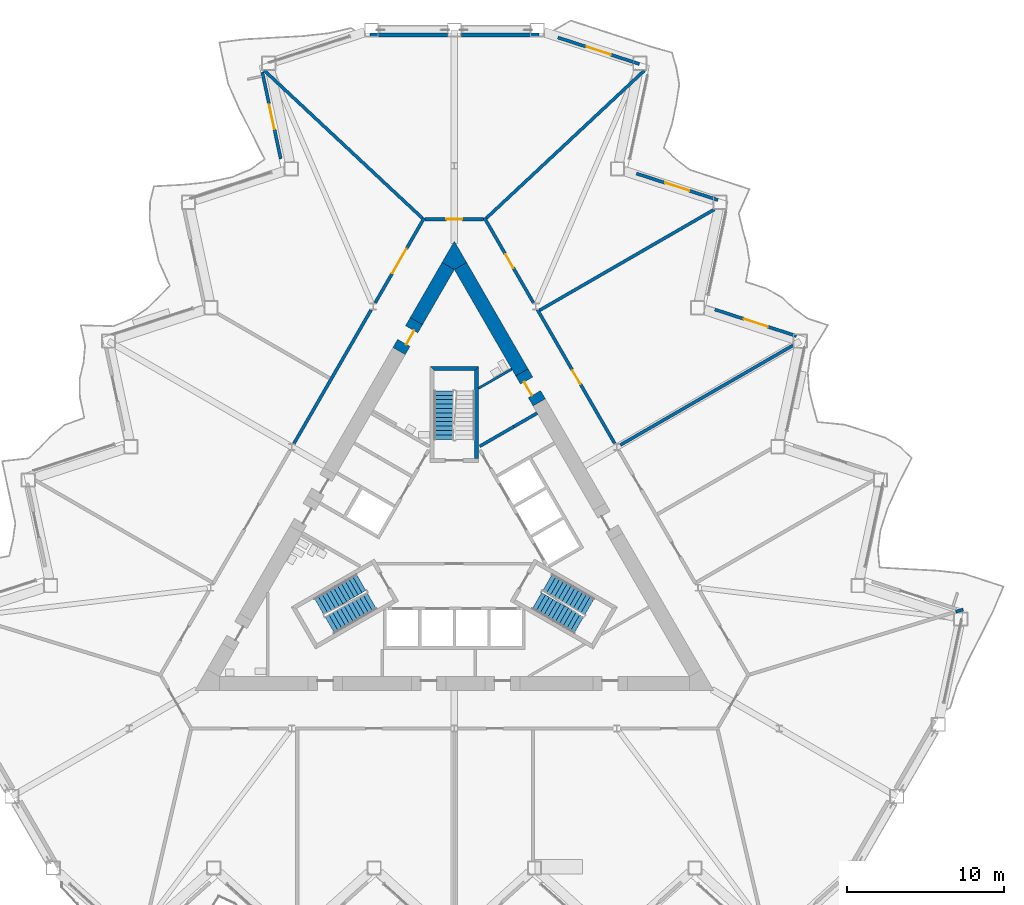
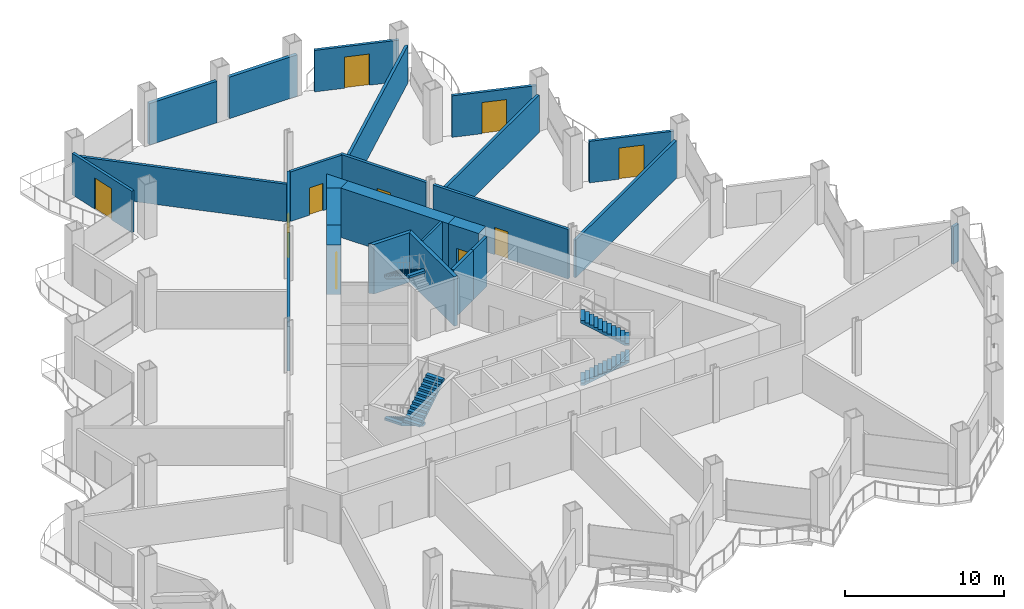
# One storey, part 13 of 21: 26 walls, 10 doors, 5 stair flights, 10 openings, 3 elements without a shape of their own.
"""IFC4 building model written with IfcOpenShell, lengths in metres."""

from ifc_helpers import new_model, si_unit, direction, frame, frame_2d, origin, place, context, subcontext, project, spatial, polyline, rectangle, outline, extrude, material, layer, layer_set, type_object, element, fill, aggregate, save


model = new_model("IFC4")

# Units and contexts
model_context = context("Model", 3, precision=1e-05, world=origin(), true_north=direction((0.0, 1.0)))
body_context = subcontext(model_context, "Body", "Model", "MODEL_VIEW")
ifc_project = project(units=[si_unit("LENGTHUNIT", "METRE"), si_unit("AREAUNIT", "SQUARE_METRE"), si_unit("VOLUMEUNIT", "CUBIC_METRE"), si_unit("PLANEANGLEUNIT", "RADIAN"), si_unit("MASSUNIT", "GRAM", prefix="KILO")], contexts=[model_context])

# Site, building, storey
site_placement = place(None, origin())
site = spatial("IfcSite", under=ifc_project, at=site_placement, CompositionType="ELEMENT")
building_placement = place(site_placement, origin())
building = spatial("IfcBuilding", under=site, at=building_placement, Name="Cormorant Prow Tower", CompositionType="ELEMENT")
storey_placement = place(building_placement, frame((0.0, 0.0, 99.60009765625)))
storey = spatial("IfcBuildingStorey", under=building, at=storey_placement, Name="L20", CompositionType="ELEMENT", Elevation=99.60009765625)

# Walls
ifc_material_1 = material(Name="Gypsum board partition")
ifc_layer_1 = layer(ifc_material_1, 0.14990234375)
ifc_layer_set_1 = layer_set([ifc_layer_1], Name="Gypsum board partition")
wall_type_1 = type_object("IfcWallType", Name="Core partition 150", PredefinedType="PARTITIONING", material=ifc_layer_set_1)
wall_1_placement = place(storey_placement, frame((3.654296875, 10.923095703125, 0.0), z_axis=(0.0, 0.0, 1.0), x_axis=(-0.865974546186, -0.5000880776, 0.0)))
element("IfcWall", 1, at=wall_1_placement, inside=storey, type_object=wall_type_1, Name="Service room partition", PredefinedType="PARTITIONING", context=body_context, shape_type="SweptSolid", body=[
    extrude(rectangle(XDim=2.44677734375, YDim=0.14990234375, at=frame_2d((1.223388671875, 0.0))), origin(), (0.0, 0.0, 1.0), 3.7998046875),
])
ifc_material_2 = material(Name="Concrete 8000 psi", Category="concrete")
ifc_layer_2 = layer(ifc_material_2, 0.89990234375)
ifc_layer_set_2 = layer_set([ifc_layer_2], Name="Concrete 8000 psi")
wall_type_2 = type_object("IfcWallType", Name="Core shear wall 900", PredefinedType="SHEAR", material=ifc_layer_set_2)
wall_2_placement = place(storey_placement, frame((4.2958984375, 10.7119140625, 0.0), z_axis=(0.0, 0.0, 1.0), x_axis=(-0.500011000363, 0.866019052629, 0.0)))
element("IfcWall", 2, at=wall_2_placement, inside=storey, type_object=wall_type_2, Name="Core wall", PredefinedType="SHEAR", context=body_context, shape_type="SweptSolid", body=[
    extrude(rectangle(XDim=7.812255859375, YDim=0.89990234375, at=frame_2d((3.90625, 0.0))), origin(), (0.0, 0.0, 1.0), 3.7998046875),
])
wall_3_placement = place(storey_placement, frame((-0.3896484375, 17.4775390625, 0.0), z_axis=(0.0, 0.0, 1.0), x_axis=(-0.500046330384, -0.865998653272, 0.0)))
element("IfcWall", 3, at=wall_3_placement, inside=storey, type_object=wall_type_2, Name="Core wall", PredefinedType="SHEAR", context=body_context, shape_type="SweptSolid", body=[
    extrude(rectangle(XDim=4.04541015625, YDim=0.89990234375, at=frame_2d((2.022705078125, 0.0))), origin(), (0.0, 0.0, 1.0), 3.7998046875),
])
wall_4_placement = place(storey_placement, origin())
element("IfcWall", 4, at=wall_4_placement, inside=storey, type_object=wall_type_2, Name="Core wall corner", PredefinedType="SHEAR", context=body_context, shape_type="SweptSolid", body=[
    extrude(outline(polyline([(-0.779296875, 17.70263671875), (0.0, 19.052490234375), (0.779296875, 17.70263671875), (0.0, 17.252685546875), (-0.779296875, 17.70263671875)])), origin(), (0.0, 0.0, 1.0), 3.7998046875),
])

# Wall, opening, door
wall_5_placement = place(storey_placement, frame((5.39599609375, 8.806396484375, 0.0), z_axis=(0.0, 0.0, 1.0), x_axis=(-0.499981787252, 0.866035918664, 0.0)))
wall_5 = element("IfcWall", 5, at=wall_5_placement, inside=storey, type_object=wall_type_2, Name="Core wall door panel", PredefinedType="SHEAR", context=body_context, shape_type="SweptSolid", body=[
    extrude(rectangle(XDim=2.2001953125, YDim=0.89990234375, at=frame_2d((1.10009765625, 0.0))), origin(), (0.0, 0.0, 1.0), 3.7998046875),
])
opening_1_placement = place(wall_5_placement, frame((0.60009765625, 0.0, 0.0)))
opening_1 = element("IfcOpeningElement", 6, at=opening_1_placement, cuts=wall_5, Name="Opening L20-C22", PredefinedType="OPENING", context=body_context, shape_type="SweptSolid", body=[
    extrude(rectangle(XDim=1.0, YDim=2.10009765625, at=frame_2d((0.5, 1.050048828125))), frame((0.0, 0.4599609375, 0.0), z_axis=(0.0, -1.0, 0.0), x_axis=(1.0, 0.0, 0.0)), (0.0, 0.0, 1.0), 0.919921875),
])
ifc_material_3 = material(Name="Painted steel", Category="steel")
door_type_1 = type_object("IfcDoorType", Name="Service door 1000x2100", OperationType="NOTDEFINED", PredefinedType="DOOR", material=ifc_material_3)
door_1_placement = place(opening_1_placement, origin())
door_1 = element("IfcDoor", 7, at=door_1_placement, inside=storey, type_object=door_type_1, Name="Core door, Mechanical riser room", OperationType="SINGLE_SWING_RIGHT", OverallHeight=2.10009765625, OverallWidth=1.0, PredefinedType="DOOR", context=body_context, shape_type="SweptSolid", body=[
    extrude(rectangle(XDim=1.0, YDim=2.10009765625, at=frame_2d((0.5, 1.050048828125))), frame((0.0, 0.205078125, 0.0), z_axis=(0.0, -1.0, 0.0), x_axis=(1.0, 0.0, 0.0)), (0.0, 0.0, 1.0), 0.050048828125),
])
fill(opening_1, door_1)

wall_6_placement = place(storey_placement, frame((-2.41259765625, 13.97412109375, 0.0), z_axis=(0.0, 0.0, 1.0), x_axis=(-0.499946605688, -0.86605622881, 0.0)))
wall_6 = element("IfcWall", 8, at=wall_6_placement, inside=storey, type_object=wall_type_2, Name="Core wall door panel", PredefinedType="SHEAR", context=body_context, shape_type="SweptSolid", body=[
    extrude(rectangle(XDim=2.199951171875, YDim=0.89990234375, at=frame_2d((1.10009765625, 0.0))), origin(), (0.0, 0.0, 1.0), 3.7998046875),
])
opening_2_placement = place(wall_6_placement, frame((0.60009765625, 0.0, 0.0)))
opening_2 = element("IfcOpeningElement", 9, at=opening_2_placement, cuts=wall_6, Name="Opening L20-C23", PredefinedType="OPENING", context=body_context, shape_type="SweptSolid", body=[
    extrude(rectangle(XDim=1.0, YDim=2.10009765625, at=frame_2d((0.5, 1.050048828125))), frame((0.0, 0.4599609375, 0.0), z_axis=(0.0, -1.0, 0.0), x_axis=(1.0, 0.0, 0.0)), (0.0, 0.0, 1.0), 0.919921875),
])
door_2_placement = place(opening_2_placement, origin())
door_2 = element("IfcDoor", 10, at=door_2_placement, inside=storey, type_object=door_type_1, Name="Core door, Toilets (men) L20", OperationType="SINGLE_SWING_RIGHT", OverallHeight=2.10009765625, OverallWidth=1.0, PredefinedType="DOOR", context=body_context, shape_type="SweptSolid", body=[
    extrude(rectangle(XDim=1.0, YDim=2.10009765625, at=frame_2d((0.5, 1.050048828125))), frame((0.0, 0.205078125, 0.0), z_axis=(0.0, -1.0, 0.0), x_axis=(1.0, 0.0, 0.0)), (0.0, 0.0, 1.0), 0.050048828125),
])
fill(opening_2, door_2)

# Wall
ifc_material_4 = material(Name="Gypsum board corridor wall")
ifc_layer_3 = layer(ifc_material_4, 0.199951171875)
ifc_layer_set_3 = layer_set([ifc_layer_3], Name="Gypsum board corridor wall")
wall_type_3 = type_object("IfcWallType", Name="Corridor wall 200", PredefinedType="PARTITIONING", material=ifc_layer_set_3)
wall_7_placement = place(storey_placement, frame((-10.197265625, 6.1904296875, 0.0), z_axis=(0.0, 0.0, 1.0), x_axis=(0.500012035596, 0.866018454918, 0.0)))
element("IfcWall", 11, at=wall_7_placement, inside=storey, type_object=wall_type_3, Name="Corridor wall", PredefinedType="PARTITIONING", context=body_context, shape_type="SweptSolid", body=[
    extrude(rectangle(XDim=9.803466796875, YDim=0.199951171875, at=frame_2d((4.90185546875, 0.0))), origin(), (0.0, 0.0, 1.0), 3.7998046875),
])

# Wall, opening, door
wall_8_placement = place(storey_placement, frame((5.28076171875, 14.7060546875, 0.0), z_axis=(0.0, 0.0, 1.0), x_axis=(0.500000421045, -0.866025160694, 0.0)))
wall_8 = element("IfcWall", 12, at=wall_8_placement, inside=storey, type_object=wall_type_3, Name="Corridor wall", PredefinedType="PARTITIONING", context=body_context, shape_type="SweptSolid", body=[
    extrude(rectangle(XDim=9.8330078125, YDim=0.199951171875, at=frame_2d((4.91650390625, 0.0))), origin(), (0.0, 0.0, 1.0), 3.7998046875),
])
opening_3_placement = place(wall_8_placement, frame((4.466552734375, 0.0, 0.0)))
opening_3 = element("IfcOpeningElement", 13, at=opening_3_placement, cuts=wall_8, Name="Opening L20-F09", PredefinedType="OPENING", context=body_context, shape_type="SweptSolid", body=[
    extrude(rectangle(XDim=1.0, YDim=2.10009765625, at=frame_2d((0.5, 1.050048828125))), frame((0.0, 0.10986328125, 0.0), z_axis=(0.0, -1.0, 0.0), x_axis=(1.0, 0.0, 0.0)), (0.0, 0.0, 1.0), 0.219970703125),
])
ifc_material_5 = material(Name="Timber door leaf", Category="wood")
door_type_2 = type_object("IfcDoorType", Name="Office door 1000x2100", OperationType="NOTDEFINED", PredefinedType="DOOR", material=ifc_material_5)
door_3_placement = place(opening_3_placement, origin())
door_3 = element("IfcDoor", 14, at=door_3_placement, inside=storey, type_object=door_type_2, Name="Open-plan office door", OperationType="SINGLE_SWING_LEFT", OverallHeight=2.10009765625, OverallWidth=1.0, PredefinedType="DOOR", context=body_context, shape_type="SweptSolid", body=[
    extrude(rectangle(XDim=1.0, YDim=2.10009765625, at=frame_2d((0.5, 1.050048828125))), frame((0.0, 0.02490234375, 0.0), z_axis=(0.0, -1.0, 0.0), x_axis=(1.0, 0.0, 0.0)), (0.0, 0.0, 1.0), 0.050048828125),
])
fill(opening_3, door_3)

wall_9_placement = place(storey_placement, frame((-5.032958984375, 15.13525390625, 0.0), z_axis=(0.0, 0.0, 1.0), x_axis=(0.499980978912, 0.866036385336, 0.0)))
wall_9 = element("IfcWall", 15, at=wall_9_placement, inside=storey, type_object=wall_type_3, Name="Corridor wall", PredefinedType="PARTITIONING", context=body_context, shape_type="SweptSolid", body=[
    extrude(rectangle(XDim=6.239990234375, YDim=0.199951171875, at=frame_2d((3.1201171875, 0.0))), origin(), (0.0, 0.0, 1.0), 3.7998046875),
])
opening_4_placement = place(wall_9_placement, frame((2.16943359375, 0.0, 0.0)))
opening_4 = element("IfcOpeningElement", 16, at=opening_4_placement, cuts=wall_9, Name="Opening L20-F12", PredefinedType="OPENING", context=body_context, shape_type="SweptSolid", body=[
    extrude(rectangle(XDim=1.800048828125, YDim=2.10009765625, at=frame_2d((0.89990234375, 1.050048828125))), frame((0.0, 0.10986328125, 0.0), z_axis=(0.0, -1.0, 0.0), x_axis=(1.0, 0.0, 0.0)), (0.0, 0.0, 1.0), 0.219970703125),
])
ifc_material_6 = material(Name="Timber door leaf", Category="wood")
door_type_3 = type_object("IfcDoorType", Name="Double door 1800x2100", OperationType="DOUBLE_DOOR_SINGLE_SWING", PredefinedType="DOOR", material=ifc_material_6)
door_4_placement = place(opening_4_placement, origin())
door_4 = element("IfcDoor", 17, at=door_4_placement, inside=storey, type_object=door_type_3, Name="Open-plan office door", OperationType="DOUBLE_DOOR_SINGLE_SWING", OverallHeight=2.10009765625, OverallWidth=1.800048828125, PredefinedType="DOOR", context=body_context, shape_type="SweptSolid", body=[
    extrude(rectangle(XDim=1.800048828125, YDim=2.10009765625, at=frame_2d((0.89990234375, 1.050048828125))), frame((0.0, 0.02490234375, 0.0), z_axis=(0.0, -1.0, 0.0), x_axis=(1.0, 0.0, 0.0)), (0.0, 0.0, 1.0), 0.050048828125),
])
fill(opening_4, door_4)

wall_10_placement = place(storey_placement, frame((1.9130859375, 20.539306640625, 0.0), z_axis=(0.0, 0.0, 1.0), x_axis=(0.499980978912, -0.866036385336, 0.0)))
wall_10 = element("IfcWall", 18, at=wall_10_placement, inside=storey, type_object=wall_type_3, Name="Corridor wall", PredefinedType="PARTITIONING", context=body_context, shape_type="SweptSolid", body=[
    extrude(rectangle(XDim=6.239990234375, YDim=0.199951171875, at=frame_2d((3.1201171875, 0.0))), origin(), (0.0, 0.0, 1.0), 3.7998046875),
])
opening_5_placement = place(wall_10_placement, frame((2.67041015625, 0.0, 0.0)))
opening_5 = element("IfcOpeningElement", 19, at=opening_5_placement, cuts=wall_10, Name="Opening L20-F10", PredefinedType="OPENING", context=body_context, shape_type="SweptSolid", body=[
    extrude(rectangle(XDim=1.0, YDim=2.10009765625, at=frame_2d((0.5, 1.050048828125))), frame((0.0, 0.10986328125, 0.0), z_axis=(0.0, -1.0, 0.0), x_axis=(1.0, 0.0, 0.0)), (0.0, 0.0, 1.0), 0.219970703125),
])
door_5_placement = place(opening_5_placement, origin())
door_5 = element("IfcDoor", 20, at=door_5_placement, inside=storey, type_object=door_type_2, Name="Tenant suite door", OperationType="SINGLE_SWING_RIGHT", OverallHeight=2.10009765625, OverallWidth=1.0, PredefinedType="DOOR", context=body_context, shape_type="SweptSolid", body=[
    extrude(rectangle(XDim=1.0, YDim=2.10009765625, at=frame_2d((0.5, 1.050048828125))), frame((0.0, 0.02490234375, 0.0), z_axis=(0.0, -1.0, 0.0), x_axis=(1.0, 0.0, 0.0)), (0.0, 0.0, 1.0), 0.050048828125),
])
fill(opening_5, door_5)

wall_11_placement = place(storey_placement, frame((-1.863037109375, 20.45263671875, 0.0), z_axis=(0.0, 0.0, 1.0), x_axis=(1.0, 0.0, 0.0)))
wall_11 = element("IfcWall", 21, at=wall_11_placement, inside=storey, type_object=wall_type_3, Name="Corridor wall", PredefinedType="PARTITIONING", context=body_context, shape_type="SweptSolid", body=[
    extrude(rectangle(XDim=3.72607421875, YDim=0.199951171875, at=frame_2d((1.863037109375, 0.0))), origin(), (0.0, 0.0, 1.0), 3.7998046875),
])
opening_6_placement = place(wall_11_placement, frame((1.363037109375, 0.0, 0.0)))
opening_6 = element("IfcOpeningElement", 22, at=opening_6_placement, cuts=wall_11, Name="Opening L20-F11", PredefinedType="OPENING", context=body_context, shape_type="SweptSolid", body=[
    extrude(rectangle(XDim=1.0, YDim=2.10009765625, at=frame_2d((0.5, 1.050048828125))), frame((0.0, 0.10986328125, 0.0), z_axis=(0.0, -1.0, 0.0), x_axis=(1.0, 0.0, 0.0)), (0.0, 0.0, 1.0), 0.219970703125),
])
door_6_placement = place(opening_6_placement, origin())
door_6 = element("IfcDoor", 23, at=door_6_placement, inside=storey, type_object=door_type_2, Name="Tenant suite door", OperationType="SINGLE_SWING_RIGHT", OverallHeight=2.10009765625, OverallWidth=1.0, PredefinedType="DOOR", context=body_context, shape_type="SweptSolid", body=[
    extrude(rectangle(XDim=1.0, YDim=2.10009765625, at=frame_2d((0.5, 1.050048828125))), frame((0.0, 0.02490234375, 0.0), z_axis=(0.0, -1.0, 0.0), x_axis=(1.0, 0.0, 0.0)), (0.0, 0.0, 1.0), 0.050048828125),
])
fill(opening_6, door_6)

# Walls
ifc_material_7 = material(Name="Gypsum board demising wall")
ifc_layer_4 = layer(ifc_material_7, 0.199951171875)
ifc_layer_set_4 = layer_set([ifc_layer_4], Name="Gypsum board demising wall")
wall_type_4 = type_object("IfcWallType", Name="Demising wall 200", PredefinedType="PARTITIONING", material=ifc_layer_set_4)
for number, where, z_axis, x_axis, name in (
    (24, (2.0361328125, 20.520751953125, 0.0), (0.0, 0.0, 1.0), (0.730716801277, 0.682680713315, 0.0), "Demising wall"),
    (25, (-12.08203125, 29.90625, 0.0), (0.0, 0.0, 1.0), (0.730716801277, -0.682680713315, 0.0), "Demising wall"),
):
    element("IfcWall", number, at=place(storey_placement, frame(where, z_axis=z_axis, x_axis=x_axis)), inside=storey, type_object=wall_type_4, Name=name, PredefinedType="PARTITIONING", context=body_context, shape_type="SweptSolid", body=[
        extrude(rectangle(XDim=13.748046875, YDim=0.199951171875, at=frame_2d((6.8740234375, 0.0))), origin(), (0.0, 0.0, 1.0), 2.88525390625),
    ])
wall_12_placement = place(storey_placement, frame((5.42236328125, 14.66064453125, 0.0), z_axis=(0.0, 0.0, 1.0), x_axis=(0.866023907196, 0.500002592159, 0.0)))
element("IfcWall", 26, at=wall_12_placement, inside=storey, type_object=wall_type_4, Name="Demising wall", PredefinedType="PARTITIONING", context=body_context, shape_type="SweptSolid", body=[
    extrude(rectangle(XDim=12.82470703125, YDim=0.199951171875, at=frame_2d((6.412353515625, 0.0))), origin(), (0.0, 0.0, 1.0), 2.88525390625),
])
wall_13_placement = place(storey_placement, frame((10.555908203125, 6.094482421875, 0.0), z_axis=(0.0, 0.0, 1.0), x_axis=(0.86602461759, 0.500001361726, 0.0)))
element("IfcWall", 27, at=wall_13_placement, inside=storey, type_object=wall_type_4, Name="Demising wall", PredefinedType="PARTITIONING", context=body_context, shape_type="SweptSolid", body=[
    extrude(rectangle(XDim=12.67919921875, YDim=0.199951171875, at=frame_2d((6.339599609375, 0.0))), origin(), (0.0, 0.0, 1.0), 2.88525390625),
])
wall_14_placement = place(storey_placement, frame((31.883544921875, -4.507080078125, 0.0), z_axis=(0.0, 0.0, 1.0), x_axis=(0.956697940105, 0.291082550832, 0.0)))
element("IfcWall", 28, at=wall_14_placement, inside=storey, type_object=wall_type_4, Name="Demising wall", PredefinedType="PARTITIONING", context=body_context, shape_type="SweptSolid", body=[
    extrude(rectangle(XDim=0.491455078125, YDim=0.199951171875, at=frame_2d((0.24560546875, 0.0))), origin(), (0.0, 0.0, 1.0), 2.88525390625),
])
ifc_material_8 = material(Name="Concrete 8000 psi", Category="concrete")
ifc_layer_5 = layer(ifc_material_8, 0.199951171875)
ifc_layer_set_5 = layer_set([ifc_layer_5], Name="Concrete 8000 psi")
wall_type_5 = type_object("IfcWallType", Name="Lift shaft wall 200", PredefinedType="SHEAR", material=ifc_layer_set_5)
wall_15_placement = place(storey_placement, origin())
element("IfcWall", 29, at=wall_15_placement, inside=storey, type_object=wall_type_5, Name="Lift shaft walls, ENE block", PredefinedType="SHEAR", context=body_context, shape_type="SweptSolid", body=[
    extrude(outline(polyline([(1.560546875, 6.09716796875), (3.730712890625, 7.35009765625), (3.830810546875, 7.177001953125), (1.660400390625, 5.923828125), (1.560546875, 6.09716796875)])), origin(), (0.0, 0.0, 1.0), 3.7998046875),
])
wall_16_placement = place(storey_placement, frame((3.78076171875, 7.263427734375, 0.0), z_axis=(0.0, 0.0, 1.0), x_axis=(0.865963414263, 0.500107353632, 0.0)))
element("IfcWall", 30, at=wall_16_placement, inside=storey, type_object=wall_type_5, Name="Store side wall", PredefinedType="SHEAR", context=body_context, shape_type="SweptSolid", body=[
    extrude(rectangle(XDim=1.72021484375, YDim=0.199951171875, at=frame_2d((0.860107421875, 0.0))), origin(), (0.0, 0.0, 1.0), 3.7998046875),
])
ifc_material_9 = material(Name="Concrete 8000 psi", Category="concrete")
ifc_layer_6 = layer(ifc_material_9, 0.25)
ifc_layer_set_6 = layer_set([ifc_layer_6], Name="Concrete 8000 psi")
wall_type_6 = type_object("IfcWallType", Name="Stair wall 250", PredefinedType="SHEAR", material=ifc_layer_set_6)
wall_17_placement = place(storey_placement, origin())
element("IfcWall", 31, at=wall_17_placement, inside=storey, type_object=wall_type_6, Name="Stair ST3 enclosure wall (flank)", PredefinedType="SHEAR", context=body_context, shape_type="SweptSolid", body=[
    extrude(outline(polyline([(1.5439453125, 5.23681640625), (1.5439453125, 11.0869140625), (1.2939453125, 10.8369140625), (1.2939453125, 5.23681640625), (1.5439453125, 5.23681640625)])), origin(), (0.0, 0.0, 1.0), 3.7998046875),
])
wall_18_placement = place(storey_placement, origin())
element("IfcWall", 32, at=wall_18_placement, inside=storey, type_object=wall_type_6, Name="Stair ST3 enclosure wall (end)", PredefinedType="SHEAR", context=body_context, shape_type="SweptSolid", body=[
    extrude(outline(polyline([(1.5439453125, 11.0869140625), (-1.5439453125, 11.0869140625), (-1.2939453125, 10.8369140625), (1.2939453125, 10.8369140625), (1.5439453125, 11.0869140625)])), origin(), (0.0, 0.0, 1.0), 3.7998046875),
])
ifc_material_10 = material(Name="Terracotta", Category="masonry")
ifc_layer_7 = layer(ifc_material_10, 0.25)
ifc_layer_set_7 = layer_set([ifc_layer_7], Name="Terracotta")
wall_type_7 = type_object("IfcWallType", Name="Terracotta bay wall 250", PredefinedType="SOLIDWALL", material=ifc_layer_set_7)
for number, where, z_axis, x_axis, name in (
    (33, (5.376220703125, 32.17138671875, 0.0), (0.0, 0.0, 1.0), (-1.0, 0.0, 0.0), "Terracotta bay wall N00"),
    (34, (-0.449951171875, 32.17138671875, 0.0), (0.0, 0.0, 1.0), (-1.0, 0.0, 0.0), "Terracotta bay wall N01"),
):
    element("IfcWall", number, at=place(storey_placement, frame(where, z_axis=z_axis, x_axis=x_axis)), inside=storey, type_object=wall_type_7, Name=name, PredefinedType="SOLIDWALL", context=body_context, shape_type="SweptSolid", body=[
        extrude(rectangle(XDim=4.92626953125, YDim=0.25, at=frame_2d((2.463134765625, 0.0))), origin(), (0.0, 0.0, 1.0), 3.188720703125),
    ])

# Wall, opening, door
ifc_material_11 = material(Name="Terracotta", Category="masonry")
ifc_layer_8 = layer(ifc_material_11, 0.199951171875)
ifc_layer_set_8 = layer_set([ifc_layer_8], Name="Terracotta")
wall_type_8 = type_object("IfcWallType", Name="Terracotta jamb wall 200", PredefinedType="SOLIDWALL", material=ifc_layer_set_8)
wall_19_placement = place(storey_placement, frame((21.751220703125, 13.026611328125, 0.0), z_axis=(0.0, 0.0, 1.0), x_axis=(-0.951049879841, 0.309037418534, 0.0)))
wall_19 = element("IfcWall", 35, at=wall_19_placement, inside=storey, type_object=wall_type_8, Name="Terracotta jamb wall ENE05", PredefinedType="SOLIDWALL", context=body_context, shape_type="SweptSolid", body=[
    extrude(rectangle(XDim=5.4462890625, YDim=0.199951171875, at=frame_2d((2.72314453125, 0.0))), origin(), (0.0, 0.0, 1.0), 3.188720703125),
])
opening_7_placement = place(wall_19_placement, frame((1.923095703125, 0.0, 0.0)))
opening_7 = element("IfcOpeningElement", 36, at=opening_7_placement, cuts=wall_19, Name="Opening ED20.08", PredefinedType="OPENING", context=body_context, shape_type="SweptSolid", body=[
    extrude(rectangle(XDim=1.60009765625, YDim=2.39990234375, at=frame_2d((0.800048828125, 1.199951171875))), frame((0.0, 0.10986328125, 0.0), z_axis=(0.0, -1.0, 0.0), x_axis=(1.0, 0.0, 0.0)), (0.0, 0.0, 1.0), 0.219970703125),
])
ifc_material_12 = material(Name="Aluminium 6063-T6", Category="aluminium")
door_type_4 = type_object("IfcDoorType", Name="Balcony door 1600x2400", OperationType="DOUBLE_DOOR_SINGLE_SWING", PredefinedType="DOOR", material=ifc_material_12)
door_7_placement = place(opening_7_placement, origin())
door_7 = element("IfcDoor", 37, at=door_7_placement, inside=storey, type_object=door_type_4, Name="Balcony door ENE05 ED20.08", OperationType="DOUBLE_DOOR_SINGLE_SWING", OverallHeight=2.39990234375, OverallWidth=1.60009765625, PredefinedType="DOOR", context=body_context, shape_type="SweptSolid", body=[
    extrude(rectangle(XDim=1.60009765625, YDim=2.39990234375, at=frame_2d((0.800048828125, 1.199951171875))), frame((0.0, 0.02490234375, 0.0), z_axis=(0.0, -1.0, 0.0), x_axis=(1.0, 0.0, 0.0)), (0.0, 0.0, 1.0), 0.050048828125),
])
fill(opening_7, door_7)

wall_20_placement = place(storey_placement, frame((16.758544921875, 21.674072265625, 0.0), z_axis=(0.0, 0.0, 1.0), x_axis=(-0.951049879841, 0.309037418534, 0.0)))
wall_20 = element("IfcWall", 38, at=wall_20_placement, inside=storey, type_object=wall_type_8, Name="Terracotta jamb wall ENE07", PredefinedType="SOLIDWALL", context=body_context, shape_type="SweptSolid", body=[
    extrude(rectangle(XDim=5.4462890625, YDim=0.199951171875, at=frame_2d((2.72314453125, 0.0))), origin(), (0.0, 0.0, 1.0), 3.188720703125),
])
opening_8_placement = place(wall_20_placement, frame((1.923095703125, 0.0, 0.0)))
opening_8 = element("IfcOpeningElement", 39, at=opening_8_placement, cuts=wall_20, Name="Opening ED20.09", PredefinedType="OPENING", context=body_context, shape_type="SweptSolid", body=[
    extrude(rectangle(XDim=1.60009765625, YDim=2.39990234375, at=frame_2d((0.800048828125, 1.199951171875))), frame((0.0, 0.10986328125, 0.0), z_axis=(0.0, -1.0, 0.0), x_axis=(1.0, 0.0, 0.0)), (0.0, 0.0, 1.0), 0.219970703125),
])
door_8_placement = place(opening_8_placement, origin())
door_8 = element("IfcDoor", 40, at=door_8_placement, inside=storey, type_object=door_type_4, Name="Balcony door ENE07 ED20.09", OperationType="DOUBLE_DOOR_SINGLE_SWING", OverallHeight=2.39990234375, OverallWidth=1.60009765625, PredefinedType="DOOR", context=body_context, shape_type="SweptSolid", body=[
    extrude(rectangle(XDim=1.60009765625, YDim=2.39990234375, at=frame_2d((0.800048828125, 1.199951171875))), frame((0.0, 0.02490234375, 0.0), z_axis=(0.0, -1.0, 0.0), x_axis=(1.0, 0.0, 0.0)), (0.0, 0.0, 1.0), 0.050048828125),
])
fill(opening_8, door_8)

wall_21_placement = place(storey_placement, frame((11.765869140625, 30.32177734375, 0.0), z_axis=(0.0, 0.0, 1.0), x_axis=(-0.951049879841, 0.309037418534, 0.0)))
wall_21 = element("IfcWall", 41, at=wall_21_placement, inside=storey, type_object=wall_type_8, Name="Terracotta jamb wall ENE09", PredefinedType="SOLIDWALL", context=body_context, shape_type="SweptSolid", body=[
    extrude(rectangle(XDim=5.4462890625, YDim=0.199951171875, at=frame_2d((2.72314453125, 0.0))), origin(), (0.0, 0.0, 1.0), 3.188720703125),
])
opening_9_placement = place(wall_21_placement, frame((1.923095703125, 0.0, 0.0)))
opening_9 = element("IfcOpeningElement", 42, at=opening_9_placement, cuts=wall_21, Name="Opening ED20.10", PredefinedType="OPENING", context=body_context, shape_type="SweptSolid", body=[
    extrude(rectangle(XDim=1.60009765625, YDim=2.39990234375, at=frame_2d((0.800048828125, 1.199951171875))), frame((0.0, 0.10986328125, 0.0), z_axis=(0.0, -1.0, 0.0), x_axis=(1.0, 0.0, 0.0)), (0.0, 0.0, 1.0), 0.219970703125),
])
door_9_placement = place(opening_9_placement, origin())
door_9 = element("IfcDoor", 43, at=door_9_placement, inside=storey, type_object=door_type_4, Name="Balcony door ENE09 ED20.10", OperationType="DOUBLE_DOOR_SINGLE_SWING", OverallHeight=2.39990234375, OverallWidth=1.60009765625, PredefinedType="DOOR", context=body_context, shape_type="SweptSolid", body=[
    extrude(rectangle(XDim=1.60009765625, YDim=2.39990234375, at=frame_2d((0.800048828125, 1.199951171875))), frame((0.0, 0.02490234375, 0.0), z_axis=(0.0, -1.0, 0.0), x_axis=(1.0, 0.0, 0.0)), (0.0, 0.0, 1.0), 0.050048828125),
])
fill(opening_9, door_9)

wall_22_placement = place(storey_placement, frame((-12.2099609375, 29.799072265625, 0.0), z_axis=(0.0, 0.0, 1.0), x_axis=(0.207917875772, -0.978146286061, 0.0)))
wall_22 = element("IfcWall", 44, at=wall_22_placement, inside=storey, type_object=wall_type_8, Name="Terracotta jamb wall WNW01", PredefinedType="SOLIDWALL", context=body_context, shape_type="SweptSolid", body=[
    extrude(rectangle(XDim=5.63037109375, YDim=0.199951171875, at=frame_2d((2.815185546875, 0.0))), origin(), (0.0, 0.0, 1.0), 3.188720703125),
])
opening_10_placement = place(wall_22_placement, frame((2.107421875, 0.0, 0.0)))
opening_10 = element("IfcOpeningElement", 45, at=opening_10_placement, cuts=wall_22, Name="Opening ED20.11", PredefinedType="OPENING", context=body_context, shape_type="SweptSolid", body=[
    extrude(rectangle(XDim=1.60009765625, YDim=2.39990234375, at=frame_2d((0.800048828125, 1.199951171875))), frame((0.0, 0.10986328125, 0.0), z_axis=(0.0, -1.0, 0.0), x_axis=(1.0, 0.0, 0.0)), (0.0, 0.0, 1.0), 0.219970703125),
])
door_10_placement = place(opening_10_placement, origin())
door_10 = element("IfcDoor", 46, at=door_10_placement, inside=storey, type_object=door_type_4, Name="Balcony door WNW01 ED20.11", OperationType="DOUBLE_DOOR_SINGLE_SWING", OverallHeight=2.39990234375, OverallWidth=1.60009765625, PredefinedType="DOOR", context=body_context, shape_type="SweptSolid", body=[
    extrude(rectangle(XDim=1.60009765625, YDim=2.39990234375, at=frame_2d((0.800048828125, 1.199951171875))), frame((0.0, 0.02490234375, 0.0), z_axis=(0.0, -1.0, 0.0), x_axis=(1.0, 0.0, 0.0)), (0.0, 0.0, 1.0), 0.050048828125),
])
fill(opening_10, door_10)

# Stair, stair flights
ifc_material_13 = material(Name="Exit stair 24 risers")
stair_type = type_object("IfcStairType", Name="Exit stair 24 risers", PredefinedType="HALF_TURN_STAIR", material=ifc_material_13)
stair_1_placement = place(storey_placement, origin())
stair_1 = element("IfcStair", 47, at=stair_1_placement, inside=storey, type_object=stair_type, Name="L20 Exit stair ST1", PredefinedType="HALF_TURN_STAIR")
ifc_material_14 = material(Name="Concrete 5000 psi", Category="concrete")
stair_flight_type = type_object("IfcStairFlightType", Name="Stair flight 1219", PredefinedType="STRAIGHT", material=ifc_material_14)
stair_flight_1_placement = place(storey_placement, frame((-5.93310546875, -2.635009765625, 0.0), z_axis=(0.0, 0.0, 1.0), x_axis=(-0.866025403784, -0.5, 0.0)))
stair_flight_1 = element("IfcStairFlight", 48, at=stair_flight_1_placement, type_object=stair_flight_type, Name="ST1 flight 1", NumberOfRisers=12, NumberOfTreads=11, PredefinedType="STRAIGHT", RiserHeight=0.175, TreadLength=0.28, context=body_context, shape_type="SweptSolid", body=[
    extrude(outline(polyline([(0.0, 0.0), (0.0, 0.175048828125), (0.280029296875, 0.175048828125), (0.280029296875, 0.35009765625), (0.56005859375, 0.35009765625), (0.56005859375, 0.52490234375), (0.840087890625, 0.52490234375), (0.840087890625, 0.699951171875), (1.1201171875, 0.699951171875), (1.1201171875, 0.875), (1.39990234375, 0.875), (1.39990234375, 1.050048828125), (1.679931640625, 1.050048828125), (1.679931640625, 1.22509765625), (1.9599609375, 1.22509765625), (1.9599609375, 1.39990234375), (2.239990234375, 1.39990234375), (2.239990234375, 1.574951171875), (2.52001953125, 1.574951171875), (2.52001953125, 1.75), (2.800048828125, 1.75), (2.800048828125, 1.925048828125), (3.080078125, 1.925048828125), (3.080078125, 2.10009765625), (3.080078125, 1.748291015625), (0.28271484375, 0.0), (0.0, 0.0)])), frame((0.0, 0.609375, 0.0), z_axis=(0.0, -1.0, 0.0), x_axis=(1.0, 0.0, 0.0)), (0.0, 0.0, 1.0), 1.218994140625),
])
stair_flight_2_placement = place(storey_placement, frame((-7.916015625, -5.360595703125, 2.099853515625), z_axis=(0.0, 0.0, 1.0), x_axis=(0.866025403784, 0.5, 0.0)))
stair_flight_2 = element("IfcStairFlight", 49, at=stair_flight_2_placement, type_object=stair_flight_type, Name="ST1 flight 2", NumberOfRisers=12, NumberOfTreads=11, PredefinedType="STRAIGHT", RiserHeight=0.175, TreadLength=0.28, context=body_context, shape_type="SweptSolid", body=[
    extrude(outline(polyline([(0.0, 0.0), (0.0, 0.175048828125), (0.280029296875, 0.175048828125), (0.280029296875, 0.35009765625), (0.56005859375, 0.35009765625), (0.56005859375, 0.52490234375), (0.840087890625, 0.52490234375), (0.840087890625, 0.699951171875), (1.1201171875, 0.699951171875), (1.1201171875, 0.875), (1.39990234375, 0.875), (1.39990234375, 1.050048828125), (1.679931640625, 1.050048828125), (1.679931640625, 1.22509765625), (1.9599609375, 1.22509765625), (1.9599609375, 1.39990234375), (2.239990234375, 1.39990234375), (2.239990234375, 1.574951171875), (2.52001953125, 1.574951171875), (2.52001953125, 1.75), (2.800048828125, 1.75), (2.800048828125, 1.925048828125), (3.080078125, 1.925048828125), (3.080078125, 2.10009765625), (3.080078125, 1.748291015625), (0.28271484375, 0.0), (0.0, 0.0)])), frame((0.0, 0.609375, 0.0), z_axis=(0.0, -1.0, 0.0), x_axis=(1.0, 0.0, 0.0)), (0.0, 0.0, 1.0), 1.218994140625),
])
aggregate(stair_1, [stair_flight_1, stair_flight_2])

stair_2_placement = place(storey_placement, origin())
stair_2 = element("IfcStair", 50, at=stair_2_placement, inside=storey, type_object=stair_type, Name="L20 Exit stair ST2", PredefinedType="HALF_TURN_STAIR")
stair_flight_3_placement = place(storey_placement, frame((5.24853515625, -3.82080078125, 0.0), z_axis=(0.0, 0.0, 1.0), x_axis=(0.866025403784, -0.5, 0.0)))
stair_flight_3 = element("IfcStairFlight", 51, at=stair_flight_3_placement, type_object=stair_flight_type, Name="ST2 flight 1", NumberOfRisers=12, NumberOfTreads=11, PredefinedType="STRAIGHT", RiserHeight=0.175, TreadLength=0.28, context=body_context, shape_type="SweptSolid", body=[
    extrude(outline(polyline([(0.0, 0.0), (0.0, 0.175048828125), (0.280029296875, 0.175048828125), (0.280029296875, 0.35009765625), (0.56005859375, 0.35009765625), (0.56005859375, 0.52490234375), (0.840087890625, 0.52490234375), (0.840087890625, 0.699951171875), (1.1201171875, 0.699951171875), (1.1201171875, 0.875), (1.39990234375, 0.875), (1.39990234375, 1.050048828125), (1.679931640625, 1.050048828125), (1.679931640625, 1.22509765625), (1.9599609375, 1.22509765625), (1.9599609375, 1.39990234375), (2.239990234375, 1.39990234375), (2.239990234375, 1.574951171875), (2.52001953125, 1.574951171875), (2.52001953125, 1.75), (2.800048828125, 1.75), (2.800048828125, 1.925048828125), (3.080078125, 1.925048828125), (3.080078125, 2.10009765625), (3.080078125, 1.748291015625), (0.28271484375, 0.0), (0.0, 0.0)])), frame((0.0, 0.609375, 0.0), z_axis=(0.0, -1.0, 0.0), x_axis=(1.0, 0.0, 0.0)), (0.0, 0.0, 1.0), 1.218994140625),
])
stair_flight_4_placement = place(storey_placement, frame((8.6005859375, -4.175048828125, 2.099853515625), z_axis=(0.0, 0.0, 1.0), x_axis=(-0.866025403784, 0.5, 0.0)))
stair_flight_4 = element("IfcStairFlight", 52, at=stair_flight_4_placement, type_object=stair_flight_type, Name="ST2 flight 2", NumberOfRisers=12, NumberOfTreads=11, PredefinedType="STRAIGHT", RiserHeight=0.175, TreadLength=0.28, context=body_context, shape_type="SweptSolid", body=[
    extrude(outline(polyline([(0.0, 0.0), (0.0, 0.175048828125), (0.280029296875, 0.175048828125), (0.280029296875, 0.35009765625), (0.56005859375, 0.35009765625), (0.56005859375, 0.52490234375), (0.840087890625, 0.52490234375), (0.840087890625, 0.699951171875), (1.1201171875, 0.699951171875), (1.1201171875, 0.875), (1.39990234375, 0.875), (1.39990234375, 1.050048828125), (1.679931640625, 1.050048828125), (1.679931640625, 1.22509765625), (1.9599609375, 1.22509765625), (1.9599609375, 1.39990234375), (2.239990234375, 1.39990234375), (2.239990234375, 1.574951171875), (2.52001953125, 1.574951171875), (2.52001953125, 1.75), (2.800048828125, 1.75), (2.800048828125, 1.925048828125), (3.080078125, 1.925048828125), (3.080078125, 2.10009765625), (3.080078125, 1.748291015625), (0.28271484375, 0.0), (0.0, 0.0)])), frame((0.0, 0.609375, 0.0), z_axis=(0.0, -1.0, 0.0), x_axis=(1.0, 0.0, 0.0)), (0.0, 0.0, 1.0), 1.218994140625),
])
aggregate(stair_2, [stair_flight_3, stair_flight_4])

# Stair, stair flight
stair_3_placement = place(storey_placement, origin())
stair_3 = element("IfcStair", 53, at=stair_3_placement, inside=storey, type_object=stair_type, Name="L20 Exit stair ST3", PredefinedType="HALF_TURN_STAIR")
stair_flight_5_placement = place(storey_placement, frame((-0.6845703125, 9.535888671875, 2.099853515625), z_axis=(0.0, 0.0, 1.0), x_axis=(0.0, -1.0, 0.0)))
stair_flight_5 = element("IfcStairFlight", 54, at=stair_flight_5_placement, type_object=stair_flight_type, Name="ST3 flight 2", NumberOfRisers=12, NumberOfTreads=11, PredefinedType="STRAIGHT", RiserHeight=0.175, TreadLength=0.28, context=body_context, shape_type="SweptSolid", body=[
    extrude(outline(polyline([(0.0, 0.0), (0.0, 0.175048828125), (0.280029296875, 0.175048828125), (0.280029296875, 0.35009765625), (0.56005859375, 0.35009765625), (0.56005859375, 0.52490234375), (0.840087890625, 0.52490234375), (0.840087890625, 0.699951171875), (1.1201171875, 0.699951171875), (1.1201171875, 0.875), (1.39990234375, 0.875), (1.39990234375, 1.050048828125), (1.679931640625, 1.050048828125), (1.679931640625, 1.22509765625), (1.9599609375, 1.22509765625), (1.9599609375, 1.39990234375), (2.239990234375, 1.39990234375), (2.239990234375, 1.574951171875), (2.52001953125, 1.574951171875), (2.52001953125, 1.75), (2.800048828125, 1.75), (2.800048828125, 1.925048828125), (3.080078125, 1.925048828125), (3.080078125, 2.10009765625), (3.080078125, 1.748291015625), (0.28271484375, 0.0), (0.0, 0.0)])), frame((0.0, 0.609375, 0.0), z_axis=(0.0, -1.0, 0.0), x_axis=(1.0, 0.0, 0.0)), (0.0, 0.0, 1.0), 1.218994140625),
])
aggregate(stair_3, [stair_flight_5])

save(model, "model.ifc")
